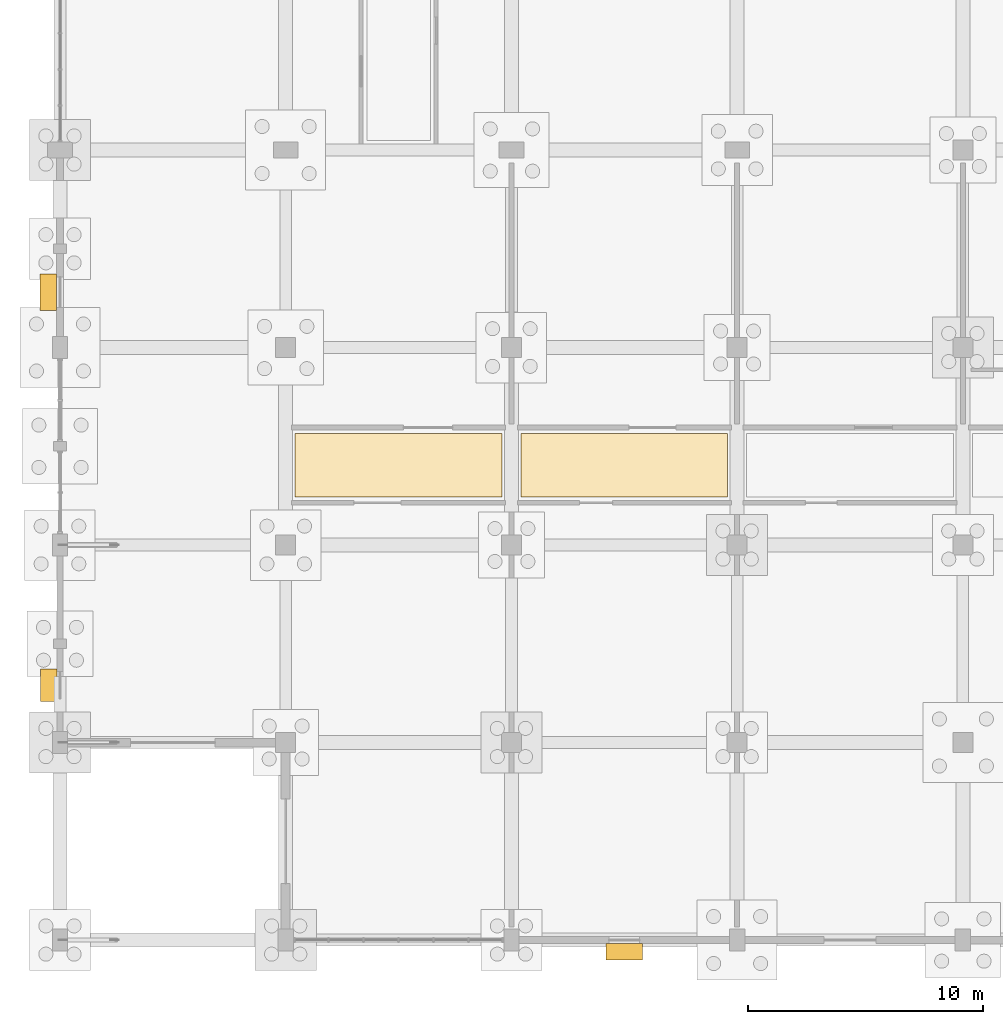
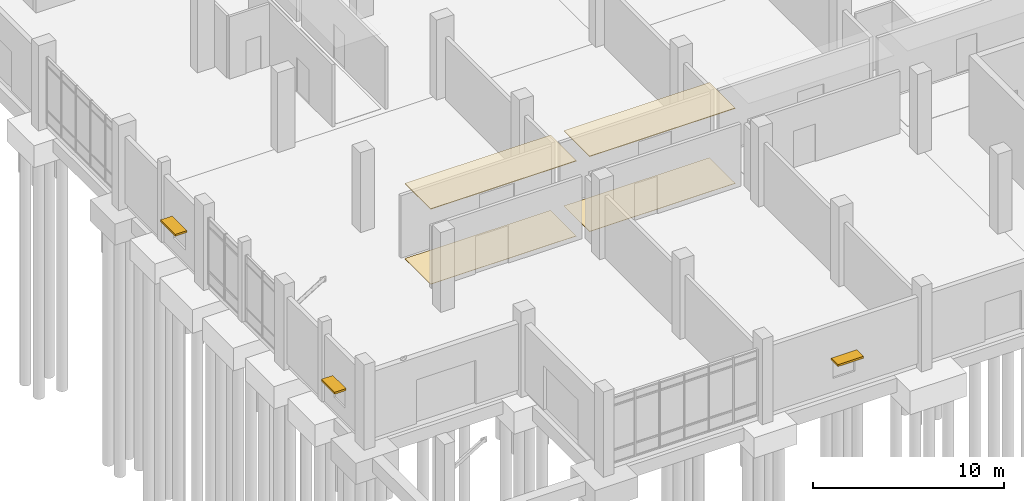
# One storey, part 122 of 136: 4 coverings, 3 shading devices.
"""IFC4 building model written with IfcOpenShell, lengths in metres."""

from ifc_helpers import new_model, si_unit, direction, frame, origin, origin_2d, place, context, subcontext, project, spatial, polyline, rectangle, outline, extrude, material, layer, layer_set, type_object, element, save


model = new_model("IFC4")

# Units and contexts
model_context = context("Model", 3, precision=1e-05, world=origin(), true_north=direction((0.0, 1.0)))
body_context = subcontext(model_context, "Body", "Model", "MODEL_VIEW")
ifc_project = project(units=[si_unit("LENGTHUNIT", "METRE"), si_unit("AREAUNIT", "SQUARE_METRE"), si_unit("VOLUMEUNIT", "CUBIC_METRE"), si_unit("PLANEANGLEUNIT", "RADIAN"), si_unit("MASSUNIT", "GRAM", prefix="KILO")], contexts=[model_context])

# Site, building, storey
site_placement = place(None, origin())
site = spatial("IfcSite", under=ifc_project, at=site_placement, CompositionType="ELEMENT")
building_placement = place(site_placement, origin())
building = spatial("IfcBuilding", under=site, at=building_placement, Name="Oolite Switchyard Hospital", CompositionType="ELEMENT")
storey_placement = place(building_placement, origin())
storey = spatial("IfcBuildingStorey", under=building, at=storey_placement, Name="L00", CompositionType="ELEMENT", Elevation=0.0)

# Coverings
ifc_material_1 = material(Name="Hygienic washable mineral-fibre acoustic ceiling")
ifc_layer_1 = layer(ifc_material_1, 0.0400390625)
ifc_layer_set_1 = layer_set([ifc_layer_1], Name="COV-CEIL-AC60")
covering_type_1 = type_object("IfcCoveringType", Name="COV-CEIL-AC60", PredefinedType="CEILING", material=ifc_layer_set_1)
covering_1_placement = place(storey_placement, frame((0.0, 0.0, 4.784912109375)))
element("IfcCovering", 1, at=covering_1_placement, inside=storey, type_object=covering_type_1, Name="L00 Emergency Trauma Corridor Ceiling 1", PredefinedType="CEILING", context=body_context, shape_type="SweptSolid", body=[
    extrude(outline(polyline([(10.0, 18.85009765625), (18.800048828125, 18.85009765625), (18.800048828125, 21.550048828125), (10.0, 21.550048828125), (10.0, 18.85009765625)])), origin(), (0.0, 0.0, 1.0), 0.0400390625),
])
covering_2_placement = place(storey_placement, frame((0.0, 0.0, 4.784912109375)))
element("IfcCovering", 2, at=covering_2_placement, inside=storey, type_object=covering_type_1, Name="L00 Emergency Trauma Corridor Ceiling 2", PredefinedType="CEILING", context=body_context, shape_type="SweptSolid", body=[
    extrude(outline(polyline([(19.60009765625, 18.85009765625), (28.39990234375, 18.85009765625), (28.39990234375, 21.550048828125), (19.60009765625, 21.550048828125), (19.60009765625, 18.85009765625)])), origin(), (0.0, 0.0, 1.0), 0.0400390625),
])
ifc_material_2 = material(Name="Epoxy terrazzo seamless clinical flooring")
ifc_layer_2 = layer(ifc_material_2, 0.02001953125)
ifc_layer_set_2 = layer_set([ifc_layer_2], Name="COV-FLR-TER20")
covering_type_2 = type_object("IfcCoveringType", Name="COV-FLR-TER20", PredefinedType="FLOORING", material=ifc_layer_set_2)
covering_3_placement = place(storey_placement, origin())
element("IfcCovering", 3, at=covering_3_placement, inside=storey, type_object=covering_type_2, Name="L00 Emergency Trauma Corridor Flooring 1", PredefinedType="FLOORING", context=body_context, shape_type="SweptSolid", body=[
    extrude(outline(polyline([(10.0, 18.85009765625), (18.800048828125, 18.85009765625), (18.800048828125, 21.550048828125), (10.0, 21.550048828125), (10.0, 18.85009765625)])), origin(), (0.0, 0.0, 1.0), 0.02001953125),
])
covering_4_placement = place(storey_placement, origin())
element("IfcCovering", 4, at=covering_4_placement, inside=storey, type_object=covering_type_2, Name="L00 Emergency Trauma Corridor Flooring 2", PredefinedType="FLOORING", context=body_context, shape_type="SweptSolid", body=[
    extrude(outline(polyline([(19.60009765625, 18.85009765625), (28.39990234375, 18.85009765625), (28.39990234375, 21.550048828125), (19.60009765625, 21.550048828125), (19.60009765625, 18.85009765625)])), origin(), (0.0, 0.0, 1.0), 0.02001953125),
])

# Shading devices
ifc_material_3 = material(Name="Precast oolitic limestone architectural concrete C40/50", Category="masonry")
ifc_layer_3 = layer(ifc_material_3, 0.1201171875)
ifc_layer_set_3 = layer_set([ifc_layer_3], Name="SHD-BRISE-900")
shading_device_type = type_object("IfcShadingDeviceType", Name="SHD-BRISE-900", PredefinedType="AWNING", material=ifc_layer_set_3)
shading_device_1_placement = place(storey_placement, frame((24.0, -0.489990234375, 2.06005859375), z_axis=(0.0, 0.0, 1.0), x_axis=(1.0, 0.0, 0.0)))
element("IfcShadingDevice", 5, at=shading_device_1_placement, inside=storey, type_object=shading_device_type, Name="L00 Classical Brise-Soleil Sunshade 1", PredefinedType="AWNING", context=body_context, shape_type="SweptSolid", body=[
    extrude(rectangle(XDim=1.5400390625, YDim=0.699951171875, at=origin_2d()), origin(), (0.0, 0.0, 1.0), 0.1201171875),
])
shading_device_2_placement = place(storey_placement, frame((-0.47998046875, 10.8369140625, 2.06005859375), z_axis=(0.0, 0.0, 1.0), x_axis=(0.0, 1.0, 0.0)))
element("IfcShadingDevice", 6, at=shading_device_2_placement, inside=storey, type_object=shading_device_type, Name="L00 Classical Brise-Soleil Sunshade 6", PredefinedType="AWNING", context=body_context, shape_type="SweptSolid", body=[
    extrude(rectangle(XDim=1.389892578125, YDim=0.699951171875, at=origin_2d()), origin(), (0.0, 0.0, 1.0), 0.1201171875),
])
shading_device_3_placement = place(storey_placement, frame((-0.489990234375, 27.553955078125, 2.06005859375), z_axis=(0.0, 0.0, 1.0), x_axis=(0.0, 1.0, 0.0)))
element("IfcShadingDevice", 7, at=shading_device_3_placement, inside=storey, type_object=shading_device_type, Name="L00 Classical Brise-Soleil Sunshade 7", PredefinedType="AWNING", context=body_context, shape_type="SweptSolid", body=[
    extrude(rectangle(XDim=1.5400390625, YDim=0.699951171875, at=origin_2d()), origin(), (0.0, 0.0, 1.0), 0.1201171875),
])

save(model, "model.ifc")
